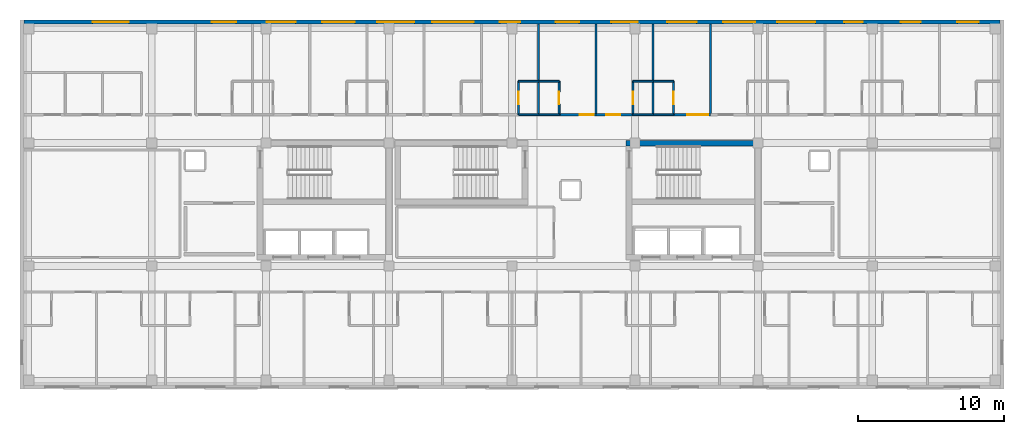
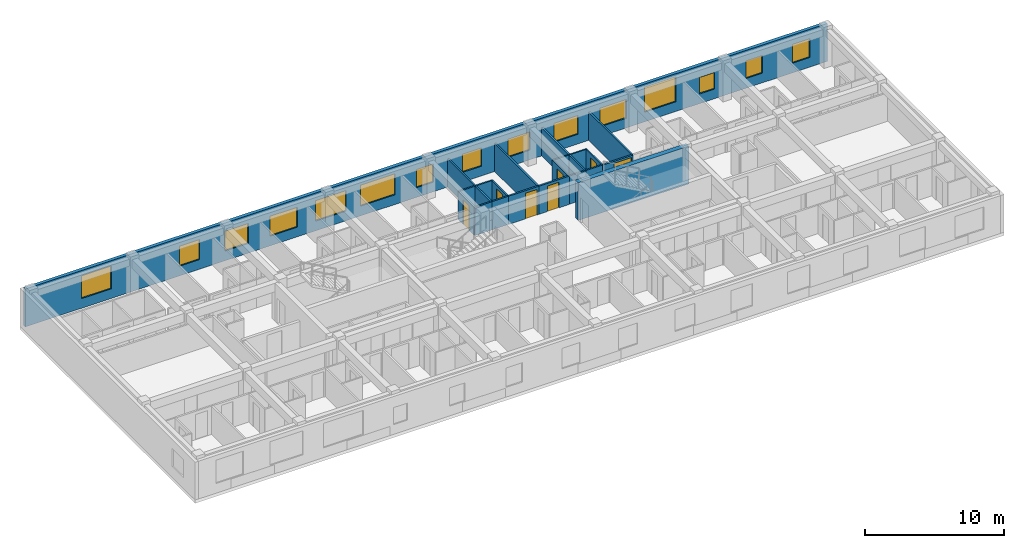
# One storey, part 7 of 11: 21 walls, 15 windows, 7 doors, 22 openings.
"""IFC4 building model written with IfcOpenShell, lengths in metres."""

from ifc_helpers import new_model, si_unit, direction, frame, frame_2d, origin, place, context, subcontext, project, spatial, rectangle, extrude, material, layer, layer_set, type_object, element, fill, save


model = new_model("IFC4")

# Units and contexts
model_context = context("Model", 3, precision=1e-05, world=origin(), true_north=direction((0.0, 1.0)))
body_context = subcontext(model_context, "Body", "Model", "MODEL_VIEW")
ifc_project = project(units=[si_unit("LENGTHUNIT", "METRE"), si_unit("AREAUNIT", "SQUARE_METRE"), si_unit("VOLUMEUNIT", "CUBIC_METRE"), si_unit("PLANEANGLEUNIT", "RADIAN"), si_unit("MASSUNIT", "GRAM", prefix="KILO")], contexts=[model_context])

# Site, building, storey
site_placement = place(None, origin())
site = spatial("IfcSite", under=ifc_project, at=site_placement, CompositionType="ELEMENT")
building_placement = place(site_placement, origin())
building = spatial("IfcBuilding", under=site, at=building_placement, Name="Zayran Congress Hotel", CompositionType="ELEMENT")
storey_placement = place(building_placement, frame((0.0, 0.0, 26.39990234375)))
storey = spatial("IfcBuildingStorey", under=building, at=storey_placement, Name="L06", CompositionType="ELEMENT", Elevation=26.39990234375)

# Wall, openings, windows
ifc_material_1 = material(Name="Hajar Ma'ani limestone cavity wall and concrete C32/40", Category="masonry")
ifc_layer_1 = layer(ifc_material_1, 0.280029296875)
ifc_layer_set_1 = layer_set([ifc_layer_1], Name="Hajar Ma'ani limestone cavity wall and concrete C32/40")
wall_type_1 = type_object("IfcWallType", Name="WL-EX-280", PredefinedType="SOLIDWALL", material=ifc_layer_set_1)
wall_1_placement = place(storey_placement, frame((8.679931640625, 33.860107421875, 0.0), z_axis=(0.0, 0.0, 1.0), x_axis=(1.0, 0.0, 0.0)))
wall_1 = element("IfcWall", 1, at=wall_1_placement, inside=storey, type_object=wall_type_1, Name="EW-V5-N-L06", PredefinedType="SOLIDWALL", context=body_context, shape_type="SweptSolid", body=[
    extrude(rectangle(XDim=66.64013671875, YDim=0.280029296875, at=frame_2d((33.320068359375, 0.0))), origin(), (0.0, 0.0, 1.0), 3.320068359375),
])
opening_1_placement = place(wall_1_placement, frame((4.679931640625, 0.0, 0.85009765625)))
opening_1 = element("IfcOpeningElement", 2, at=opening_1_placement, cuts=wall_1, Name="Opening WN-42", PredefinedType="OPENING", context=body_context, shape_type="SweptSolid", body=[
    extrude(rectangle(XDim=2.47998046875, YDim=2.0, at=frame_2d((1.239990234375, 1.0))), frame((0.0, 0.14990234375, 0.0), z_axis=(0.0, -1.0, 0.0), x_axis=(1.0, 0.0, 0.0)), (0.0, 0.0, 1.0), 0.300048828125),
])
opening_2_placement = place(wall_1_placement, frame((12.8291015625, 0.0, 0.85009765625)))
opening_2 = element("IfcOpeningElement", 3, at=opening_2_placement, cuts=wall_1, Name="Opening WN-07", PredefinedType="OPENING", context=body_context, shape_type="SweptSolid", body=[
    extrude(rectangle(XDim=1.64990234375, YDim=1.75, at=frame_2d((0.824951171875, 0.875))), frame((0.0, 0.14990234375, 0.0), z_axis=(0.0, -1.0, 0.0), x_axis=(1.0, 0.0, 0.0)), (0.0, 0.0, 1.0), 0.300048828125),
])
opening_3_placement = place(wall_1_placement, frame((16.587890625, 0.0, 0.85009765625)))
opening_3 = element("IfcOpeningElement", 4, at=opening_3_placement, cuts=wall_1, Name="Opening WN-08", PredefinedType="OPENING", context=body_context, shape_type="SweptSolid", body=[
    extrude(rectangle(XDim=1.949951171875, YDim=1.75, at=frame_2d((0.97509765625, 0.875))), frame((0.0, 0.14990234375, 0.0), z_axis=(0.0, -1.0, 0.0), x_axis=(1.0, 0.0, 0.0)), (0.0, 0.0, 1.0), 0.300048828125),
])
opening_4_placement = place(wall_1_placement, frame((20.346923828125, 0.0, 0.85009765625)))
opening_4 = element("IfcOpeningElement", 5, at=opening_4_placement, cuts=wall_1, Name="Opening WN-09", PredefinedType="OPENING", context=body_context, shape_type="SweptSolid", body=[
    extrude(rectangle(XDim=2.25, YDim=1.75, at=frame_2d((1.125, 0.875))), frame((0.0, 0.14990234375, 0.0), z_axis=(0.0, -1.0, 0.0), x_axis=(1.0, 0.0, 0.0)), (0.0, 0.0, 1.0), 0.300048828125),
])
opening_5_placement = place(wall_1_placement, frame((24.10498046875, 0.0, 0.85009765625)))
opening_5 = element("IfcOpeningElement", 6, at=opening_5_placement, cuts=wall_1, Name="Opening WN-10", PredefinedType="OPENING", context=body_context, shape_type="SweptSolid", body=[
    extrude(rectangle(XDim=2.550048828125, YDim=1.800048828125, at=frame_2d((1.27490234375, 0.89990234375))), frame((0.0, 0.14990234375, 0.0), z_axis=(0.0, -1.0, 0.0), x_axis=(1.0, 0.0, 0.0)), (0.0, 0.0, 1.0), 0.300048828125),
])
opening_6_placement = place(wall_1_placement, frame((27.864013671875, 0.0, 0.85009765625)))
opening_6 = element("IfcOpeningElement", 7, at=opening_6_placement, cuts=wall_1, Name="Opening WN-11", PredefinedType="OPENING", context=body_context, shape_type="SweptSolid", body=[
    extrude(rectangle(XDim=2.85009765625, YDim=1.85009765625, at=frame_2d((1.425048828125, 0.925048828125))), frame((0.0, 0.14990234375, 0.0), z_axis=(0.0, -1.0, 0.0), x_axis=(1.0, 0.0, 0.0)), (0.0, 0.0, 1.0), 0.300048828125),
])
opening_7_placement = place(wall_1_placement, frame((32.4970703125, 0.0, 0.85009765625)))
opening_7 = element("IfcOpeningElement", 8, at=opening_7_placement, cuts=wall_1, Name="Opening WN-14", PredefinedType="OPENING", context=body_context, shape_type="SweptSolid", body=[
    extrude(rectangle(XDim=1.39990234375, YDim=1.60009765625, at=frame_2d((0.699951171875, 0.800048828125))), frame((0.0, 0.14990234375, 0.0), z_axis=(0.0, -1.0, 0.0), x_axis=(1.0, 0.0, 0.0)), (0.0, 0.0, 1.0), 0.300048828125),
])
opening_8_placement = place(wall_1_placement, frame((36.305908203125, 0.0, 0.85009765625)))
opening_8 = element("IfcOpeningElement", 9, at=opening_8_placement, cuts=wall_1, Name="Opening WN-15", PredefinedType="OPENING", context=body_context, shape_type="SweptSolid", body=[
    extrude(rectangle(XDim=1.60009765625, YDim=1.60009765625, at=frame_2d((0.800048828125, 0.800048828125))), frame((0.0, 0.14990234375, 0.0), z_axis=(0.0, -1.0, 0.0), x_axis=(1.0, 0.0, 0.0)), (0.0, 0.0, 1.0), 0.300048828125),
])
opening_9_placement = place(wall_1_placement, frame((40.114990234375, 0.0, 0.85009765625)))
opening_9 = element("IfcOpeningElement", 10, at=opening_9_placement, cuts=wall_1, Name="Opening WN-16", PredefinedType="OPENING", context=body_context, shape_type="SweptSolid", body=[
    extrude(rectangle(XDim=1.800048828125, YDim=1.60009765625, at=frame_2d((0.89990234375, 0.800048828125))), frame((0.0, 0.14990234375, 0.0), z_axis=(0.0, -1.0, 0.0), x_axis=(1.0, 0.0, 0.0)), (0.0, 0.0, 1.0), 0.300048828125),
])
opening_10_placement = place(wall_1_placement, frame((43.923095703125, 0.0, 0.85009765625)))
opening_10 = element("IfcOpeningElement", 11, at=opening_10_placement, cuts=wall_1, Name="Opening WN-17", PredefinedType="OPENING", context=body_context, shape_type="SweptSolid", body=[
    extrude(rectangle(XDim=2.0, YDim=1.64990234375, at=frame_2d((1.0, 0.824951171875))), frame((0.0, 0.14990234375, 0.0), z_axis=(0.0, -1.0, 0.0), x_axis=(1.0, 0.0, 0.0)), (0.0, 0.0, 1.0), 0.300048828125),
])
opening_11_placement = place(wall_1_placement, frame((47.73095703125, 0.0, 0.85009765625)))
opening_11 = element("IfcOpeningElement", 12, at=opening_11_placement, cuts=wall_1, Name="Opening WN-18", PredefinedType="OPENING", context=body_context, shape_type="SweptSolid", body=[
    extrude(rectangle(XDim=2.199951171875, YDim=1.64990234375, at=frame_2d((1.10009765625, 0.824951171875))), frame((0.0, 0.14990234375, 0.0), z_axis=(0.0, -1.0, 0.0), x_axis=(1.0, 0.0, 0.0)), (0.0, 0.0, 1.0), 0.300048828125),
])
opening_12_placement = place(wall_1_placement, frame((51.43994140625, 0.0, 0.85009765625)))
opening_12 = element("IfcOpeningElement", 13, at=opening_12_placement, cuts=wall_1, Name="Opening WN-19", PredefinedType="OPENING", context=body_context, shape_type="SweptSolid", body=[
    extrude(rectangle(XDim=2.60009765625, YDim=2.199951171875, at=frame_2d((1.300048828125, 1.10009765625))), frame((0.0, 0.14990234375, 0.0), z_axis=(0.0, -1.0, 0.0), x_axis=(1.0, 0.0, 0.0)), (0.0, 0.0, 1.0), 0.300048828125),
])
opening_13_placement = place(wall_1_placement, frame((56.02392578125, 0.0, 0.85009765625)))
opening_13 = element("IfcOpeningElement", 14, at=opening_13_placement, cuts=wall_1, Name="Opening WN-23", PredefinedType="OPENING", context=body_context, shape_type="SweptSolid", body=[
    extrude(rectangle(XDim=1.25, YDim=1.449951171875, at=frame_2d((0.625, 0.72509765625))), frame((0.0, 0.14990234375, 0.0), z_axis=(0.0, -1.0, 0.0), x_axis=(1.0, 0.0, 0.0)), (0.0, 0.0, 1.0), 0.300048828125),
])
opening_14_placement = place(wall_1_placement, frame((59.882080078125, 0.0, 0.85009765625)))
opening_14 = element("IfcOpeningElement", 15, at=opening_14_placement, cuts=wall_1, Name="Opening WN-24", PredefinedType="OPENING", context=body_context, shape_type="SweptSolid", body=[
    extrude(rectangle(XDim=1.35009765625, YDim=1.550048828125, at=frame_2d((0.675048828125, 0.77490234375))), frame((0.0, 0.14990234375, 0.0), z_axis=(0.0, -1.0, 0.0), x_axis=(1.0, 0.0, 0.0)), (0.0, 0.0, 1.0), 0.300048828125),
])
opening_15_placement = place(wall_1_placement, frame((63.739990234375, 0.0, 0.85009765625)))
opening_15 = element("IfcOpeningElement", 16, at=opening_15_placement, cuts=wall_1, Name="Opening WN-25", PredefinedType="OPENING", context=body_context, shape_type="SweptSolid", body=[
    extrude(rectangle(XDim=1.449951171875, YDim=1.64990234375, at=frame_2d((0.72509765625, 0.824951171875))), frame((0.0, 0.14990234375, 0.0), z_axis=(0.0, -1.0, 0.0), x_axis=(1.0, 0.0, 0.0)), (0.0, 0.0, 1.0), 0.300048828125),
])
ifc_material_2 = material(Name="Anodised aluminium and low-E insulated glass", Category="aluminium")
window_type_1 = type_object("IfcWindowType", Name="TP-WN-07", PartitioningType="SINGLE_PANEL", PredefinedType="WINDOW", material=ifc_material_2)
window_1_placement = place(opening_2_placement, origin())
window_1 = element("IfcWindow", 17, at=window_1_placement, inside=storey, type_object=window_type_1, Name="WIN-V5N-L06-0348", OverallHeight=1.75, OverallWidth=1.64990234375, PartitioningType="SINGLE_PANEL", PredefinedType="WINDOW", context=body_context, shape_type="SweptSolid", body=[
    extrude(rectangle(XDim=1.64990234375, YDim=1.75, at=frame_2d((0.824951171875, 0.875))), frame((0.0, 0.030029296875, 0.0), z_axis=(0.0, -1.0, 0.0), x_axis=(1.0, 0.0, 0.0)), (0.0, 0.0, 1.0), 0.06005859375),
])
fill(opening_2, window_1)
window_type_2 = type_object("IfcWindowType", Name="TP-WN-08", PartitioningType="DOUBLE_PANEL_VERTICAL", PredefinedType="WINDOW", material=ifc_material_2)
window_2_placement = place(opening_3_placement, origin())
window_2 = element("IfcWindow", 18, at=window_2_placement, inside=storey, type_object=window_type_2, Name="WIN-V5N-L06-0349", OverallHeight=1.75, OverallWidth=1.949951171875, PartitioningType="SINGLE_PANEL", PredefinedType="WINDOW", context=body_context, shape_type="SweptSolid", body=[
    extrude(rectangle(XDim=1.949951171875, YDim=1.75, at=frame_2d((0.97509765625, 0.875))), frame((0.0, 0.030029296875, 0.0), z_axis=(0.0, -1.0, 0.0), x_axis=(1.0, 0.0, 0.0)), (0.0, 0.0, 1.0), 0.06005859375),
])
fill(opening_3, window_2)
window_type_3 = type_object("IfcWindowType", Name="TP-WN-09", PartitioningType="DOUBLE_PANEL_VERTICAL", PredefinedType="WINDOW", material=ifc_material_2)
window_3_placement = place(opening_4_placement, origin())
window_3 = element("IfcWindow", 19, at=window_3_placement, inside=storey, type_object=window_type_3, Name="WIN-V5N-L06-0350", OverallHeight=1.75, OverallWidth=2.25, PartitioningType="SINGLE_PANEL", PredefinedType="WINDOW", context=body_context, shape_type="SweptSolid", body=[
    extrude(rectangle(XDim=2.25, YDim=1.75, at=frame_2d((1.125, 0.875))), frame((0.0, 0.030029296875, 0.0), z_axis=(0.0, -1.0, 0.0), x_axis=(1.0, 0.0, 0.0)), (0.0, 0.0, 1.0), 0.06005859375),
])
fill(opening_4, window_3)
window_type_4 = type_object("IfcWindowType", Name="TP-WN-10", PartitioningType="DOUBLE_PANEL_VERTICAL", PredefinedType="WINDOW", material=ifc_material_2)
window_4_placement = place(opening_5_placement, origin())
window_4 = element("IfcWindow", 20, at=window_4_placement, inside=storey, type_object=window_type_4, Name="WIN-V5N-L06-0351", OverallHeight=1.800048828125, OverallWidth=2.550048828125, PartitioningType="SINGLE_PANEL", PredefinedType="WINDOW", context=body_context, shape_type="SweptSolid", body=[
    extrude(rectangle(XDim=2.550048828125, YDim=1.800048828125, at=frame_2d((1.27490234375, 0.89990234375))), frame((0.0, 0.030029296875, 0.0), z_axis=(0.0, -1.0, 0.0), x_axis=(1.0, 0.0, 0.0)), (0.0, 0.0, 1.0), 0.06005859375),
])
fill(opening_5, window_4)
window_type_5 = type_object("IfcWindowType", Name="TP-WN-11", PartitioningType="TRIPLE_PANEL_VERTICAL", PredefinedType="WINDOW", material=ifc_material_2)
window_5_placement = place(opening_6_placement, origin())
window_5 = element("IfcWindow", 21, at=window_5_placement, inside=storey, type_object=window_type_5, Name="WIN-V5N-L06-0352", OverallHeight=1.85009765625, OverallWidth=2.85009765625, PartitioningType="SINGLE_PANEL", PredefinedType="WINDOW", context=body_context, shape_type="SweptSolid", body=[
    extrude(rectangle(XDim=2.85009765625, YDim=1.85009765625, at=frame_2d((1.425048828125, 0.925048828125))), frame((0.0, 0.030029296875, 0.0), z_axis=(0.0, -1.0, 0.0), x_axis=(1.0, 0.0, 0.0)), (0.0, 0.0, 1.0), 0.06005859375),
])
fill(opening_6, window_5)
window_type_6 = type_object("IfcWindowType", Name="TP-WN-14", PartitioningType="SINGLE_PANEL", PredefinedType="WINDOW", material=ifc_material_2)
window_6_placement = place(opening_7_placement, origin())
window_6 = element("IfcWindow", 22, at=window_6_placement, inside=storey, type_object=window_type_6, Name="WIN-V5N-L06-0353", OverallHeight=1.60009765625, OverallWidth=1.39990234375, PartitioningType="SINGLE_PANEL", PredefinedType="WINDOW", context=body_context, shape_type="SweptSolid", body=[
    extrude(rectangle(XDim=1.39990234375, YDim=1.60009765625, at=frame_2d((0.699951171875, 0.800048828125))), frame((0.0, 0.030029296875, 0.0), z_axis=(0.0, -1.0, 0.0), x_axis=(1.0, 0.0, 0.0)), (0.0, 0.0, 1.0), 0.06005859375),
])
fill(opening_7, window_6)
window_type_7 = type_object("IfcWindowType", Name="TP-WN-15", PartitioningType="SINGLE_PANEL", PredefinedType="WINDOW", material=ifc_material_2)
window_7_placement = place(opening_8_placement, origin())
window_7 = element("IfcWindow", 23, at=window_7_placement, inside=storey, type_object=window_type_7, Name="WIN-V5N-L06-0354", OverallHeight=1.60009765625, OverallWidth=1.60009765625, PartitioningType="SINGLE_PANEL", PredefinedType="WINDOW", context=body_context, shape_type="SweptSolid", body=[
    extrude(rectangle(XDim=1.60009765625, YDim=1.60009765625, at=frame_2d((0.800048828125, 0.800048828125))), frame((0.0, 0.030029296875, 0.0), z_axis=(0.0, -1.0, 0.0), x_axis=(1.0, 0.0, 0.0)), (0.0, 0.0, 1.0), 0.06005859375),
])
fill(opening_8, window_7)
window_type_8 = type_object("IfcWindowType", Name="TP-WN-16", PartitioningType="DOUBLE_PANEL_VERTICAL", PredefinedType="WINDOW", material=ifc_material_2)
window_8_placement = place(opening_9_placement, origin())
window_8 = element("IfcWindow", 24, at=window_8_placement, inside=storey, type_object=window_type_8, Name="WIN-V5N-L06-0355", OverallHeight=1.60009765625, OverallWidth=1.800048828125, PartitioningType="SINGLE_PANEL", PredefinedType="WINDOW", context=body_context, shape_type="SweptSolid", body=[
    extrude(rectangle(XDim=1.800048828125, YDim=1.60009765625, at=frame_2d((0.89990234375, 0.800048828125))), frame((0.0, 0.030029296875, 0.0), z_axis=(0.0, -1.0, 0.0), x_axis=(1.0, 0.0, 0.0)), (0.0, 0.0, 1.0), 0.06005859375),
])
fill(opening_9, window_8)
window_type_9 = type_object("IfcWindowType", Name="TP-WN-17", PartitioningType="DOUBLE_PANEL_VERTICAL", PredefinedType="WINDOW", material=ifc_material_2)
window_9_placement = place(opening_10_placement, origin())
window_9 = element("IfcWindow", 25, at=window_9_placement, inside=storey, type_object=window_type_9, Name="WIN-V5N-L06-0356", OverallHeight=1.64990234375, OverallWidth=2.0, PartitioningType="SINGLE_PANEL", PredefinedType="WINDOW", context=body_context, shape_type="SweptSolid", body=[
    extrude(rectangle(XDim=2.0, YDim=1.64990234375, at=frame_2d((1.0, 0.824951171875))), frame((0.0, 0.030029296875, 0.0), z_axis=(0.0, -1.0, 0.0), x_axis=(1.0, 0.0, 0.0)), (0.0, 0.0, 1.0), 0.06005859375),
])
fill(opening_10, window_9)
window_type_10 = type_object("IfcWindowType", Name="TP-WN-18", PartitioningType="DOUBLE_PANEL_VERTICAL", PredefinedType="WINDOW", material=ifc_material_2)
window_10_placement = place(opening_11_placement, origin())
window_10 = element("IfcWindow", 26, at=window_10_placement, inside=storey, type_object=window_type_10, Name="WIN-V5N-L06-0357", OverallHeight=1.64990234375, OverallWidth=2.199951171875, PartitioningType="SINGLE_PANEL", PredefinedType="WINDOW", context=body_context, shape_type="SweptSolid", body=[
    extrude(rectangle(XDim=2.199951171875, YDim=1.64990234375, at=frame_2d((1.10009765625, 0.824951171875))), frame((0.0, 0.030029296875, 0.0), z_axis=(0.0, -1.0, 0.0), x_axis=(1.0, 0.0, 0.0)), (0.0, 0.0, 1.0), 0.06005859375),
])
fill(opening_11, window_10)
window_type_11 = type_object("IfcWindowType", Name="TP-WN-19", PartitioningType="DOUBLE_PANEL_VERTICAL", PredefinedType="WINDOW", material=ifc_material_2)
window_11_placement = place(opening_12_placement, origin())
window_11 = element("IfcWindow", 27, at=window_11_placement, inside=storey, type_object=window_type_11, Name="WIN-V5N-L06-0358", OverallHeight=2.199951171875, OverallWidth=2.60009765625, PartitioningType="SINGLE_PANEL", PredefinedType="WINDOW", context=body_context, shape_type="SweptSolid", body=[
    extrude(rectangle(XDim=2.60009765625, YDim=2.199951171875, at=frame_2d((1.300048828125, 1.10009765625))), frame((0.0, 0.030029296875, 0.0), z_axis=(0.0, -1.0, 0.0), x_axis=(1.0, 0.0, 0.0)), (0.0, 0.0, 1.0), 0.06005859375),
])
fill(opening_12, window_11)
window_type_12 = type_object("IfcWindowType", Name="TP-WN-23", PartitioningType="SINGLE_PANEL", PredefinedType="WINDOW", material=ifc_material_2)
window_12_placement = place(opening_13_placement, origin())
window_12 = element("IfcWindow", 28, at=window_12_placement, inside=storey, type_object=window_type_12, Name="WIN-V5N-L06-0359", OverallHeight=1.449951171875, OverallWidth=1.25, PartitioningType="SINGLE_PANEL", PredefinedType="WINDOW", context=body_context, shape_type="SweptSolid", body=[
    extrude(rectangle(XDim=1.25, YDim=1.449951171875, at=frame_2d((0.625, 0.72509765625))), frame((0.0, 0.030029296875, 0.0), z_axis=(0.0, -1.0, 0.0), x_axis=(1.0, 0.0, 0.0)), (0.0, 0.0, 1.0), 0.06005859375),
])
fill(opening_13, window_12)
window_type_13 = type_object("IfcWindowType", Name="TP-WN-24", PartitioningType="SINGLE_PANEL", PredefinedType="WINDOW", material=ifc_material_2)
window_13_placement = place(opening_14_placement, origin())
window_13 = element("IfcWindow", 29, at=window_13_placement, inside=storey, type_object=window_type_13, Name="WIN-V5N-L06-0360", OverallHeight=1.550048828125, OverallWidth=1.35009765625, PartitioningType="SINGLE_PANEL", PredefinedType="WINDOW", context=body_context, shape_type="SweptSolid", body=[
    extrude(rectangle(XDim=1.35009765625, YDim=1.550048828125, at=frame_2d((0.675048828125, 0.77490234375))), frame((0.0, 0.030029296875, 0.0), z_axis=(0.0, -1.0, 0.0), x_axis=(1.0, 0.0, 0.0)), (0.0, 0.0, 1.0), 0.06005859375),
])
fill(opening_14, window_13)
window_type_14 = type_object("IfcWindowType", Name="TP-WN-25", PartitioningType="SINGLE_PANEL", PredefinedType="WINDOW", material=ifc_material_2)
window_14_placement = place(opening_15_placement, origin())
window_14 = element("IfcWindow", 30, at=window_14_placement, inside=storey, type_object=window_type_14, Name="WIN-V5N-L06-0361", OverallHeight=1.64990234375, OverallWidth=1.449951171875, PartitioningType="SINGLE_PANEL", PredefinedType="WINDOW", context=body_context, shape_type="SweptSolid", body=[
    extrude(rectangle(XDim=1.449951171875, YDim=1.64990234375, at=frame_2d((0.72509765625, 0.824951171875))), frame((0.0, 0.030029296875, 0.0), z_axis=(0.0, -1.0, 0.0), x_axis=(1.0, 0.0, 0.0)), (0.0, 0.0, 1.0), 0.06005859375),
])
fill(opening_15, window_14)
window_type_15 = type_object("IfcWindowType", Name="TP-WN-42", PartitioningType="DOUBLE_PANEL_VERTICAL", PredefinedType="WINDOW", material=ifc_material_2)
window_15_placement = place(opening_1_placement, origin())
window_15 = element("IfcWindow", 31, at=window_15_placement, inside=storey, type_object=window_type_15, Name="WIN-V5N-L06-0347", OverallHeight=2.0, OverallWidth=2.47998046875, PartitioningType="SINGLE_PANEL", PredefinedType="WINDOW", context=body_context, shape_type="SweptSolid", body=[
    extrude(rectangle(XDim=2.47998046875, YDim=2.0, at=frame_2d((1.239990234375, 1.0))), frame((0.0, 0.030029296875, 0.0), z_axis=(0.0, -1.0, 0.0), x_axis=(1.0, 0.0, 0.0)), (0.0, 0.0, 1.0), 0.06005859375),
])
fill(opening_1, window_15)

# Wall
ifc_material_3 = material(Name="Concrete C40/50", Category="concrete")
ifc_layer_2 = layer(ifc_material_3, 0.39990234375)
ifc_layer_set_2 = layer_set([ifc_layer_2], Name="Concrete C40/50")
wall_type_2 = type_object("IfcWallType", Name="WL-SH-400", PredefinedType="SHEAR", material=ifc_layer_set_2)
wall_2_placement = place(storey_placement, frame((59.0, 25.5849609375, 0.0), z_axis=(0.0, 0.0, 1.0), x_axis=(-1.0, 0.0, 0.0)))
element("IfcWall", 32, at=wall_2_placement, inside=storey, type_object=wall_type_2, Name="CWALL-C-V5E-L06-N", PredefinedType="SHEAR", context=body_context, shape_type="SweptSolid", body=[
    extrude(rectangle(XDim=9.199951171875, YDim=0.39990234375, at=frame_2d((4.60009765625, 0.0))), origin(), (0.0, 0.0, 1.0), 3.320068359375),
])

# Wall, opening, door
ifc_material_4 = material(Name="Hospitality guestroom acoustic partition", Category="gypsum")
ifc_layer_3 = layer(ifc_material_4, 0.139892578125)
ifc_layer_set_3 = layer_set([ifc_layer_3], Name="Hospitality guestroom acoustic partition")
wall_type_3 = type_object("IfcWallType", Name="WL-PT-140", PredefinedType="PARTITIONING", material=ifc_layer_set_3)
wall_3_placement = place(storey_placement, frame((45.218017578125, 27.530029296875, 0.0), z_axis=(0.0, 0.0, 1.0), x_axis=(1.0, 0.0, 0.0)))
wall_3 = element("IfcWall", 33, at=wall_3_placement, inside=storey, type_object=wall_type_3, Name="IW-L06-0714", PredefinedType="PARTITIONING", context=body_context, shape_type="SweptSolid", body=[
    extrude(rectangle(XDim=2.511962890625, YDim=0.139892578125, at=frame_2d((1.255859375, 0.0))), origin(), (0.0, 0.0, 1.0), 2.47998046875),
])
opening_16_placement = place(wall_3_placement, frame((1.412109375, 0.0, 0.0)))
opening_16 = element("IfcOpeningElement", 34, at=opening_16_placement, cuts=wall_3, Name="Opening DR-GR-03", PredefinedType="OPENING", context=body_context, shape_type="SweptSolid", body=[
    extrude(rectangle(XDim=0.9599609375, YDim=2.25, at=frame_2d((0.47998046875, 1.125))), frame((0.0, 0.079833984375, 0.0), z_axis=(0.0, -1.0, 0.0), x_axis=(1.0, 0.0, 0.0)), (0.0, 0.0, 1.0), 0.159912109375),
])
ifc_material_5 = material(Name="Executive walnut veneer entry door", Category="wood")
door_type_1 = type_object("IfcDoorType", Name="TP-DR-GR-03", OperationType="NOTDEFINED", PredefinedType="DOOR", material=ifc_material_5)
door_1_placement = place(opening_16_placement, origin())
door_1 = element("IfcDoor", 35, at=door_1_placement, inside=storey, type_object=door_type_1, Name="Guest Room L06-21 Door", OperationType="SINGLE_SWING_RIGHT", OverallHeight=2.25, OverallWidth=0.9599609375, PredefinedType="DOOR", context=body_context, shape_type="SweptSolid", body=[
    extrude(rectangle(XDim=0.9599609375, YDim=2.25, at=frame_2d((0.47998046875, 1.125))), frame((0.0, 0.02490234375, 0.0), z_axis=(0.0, -1.0, 0.0), x_axis=(1.0, 0.0, 0.0)), (0.0, 0.0, 1.0), 0.050048828125),
])
fill(opening_16, door_1)

wall_4_placement = place(storey_placement, frame((47.75, 27.530029296875, 0.0), z_axis=(0.0, 0.0, 1.0), x_axis=(1.0, 0.0, 0.0)))
wall_4 = element("IfcWall", 36, at=wall_4_placement, inside=storey, type_object=wall_type_3, Name="IW-L06-0715", PredefinedType="PARTITIONING", context=body_context, shape_type="SweptSolid", body=[
    extrude(rectangle(XDim=2.511962890625, YDim=0.139892578125, at=frame_2d((1.255859375, 0.0))), origin(), (0.0, 0.0, 1.0), 2.47998046875),
])
opening_17_placement = place(wall_4_placement, frame((0.68505859375, 0.0, 0.0)))
opening_17 = element("IfcOpeningElement", 37, at=opening_17_placement, cuts=wall_4, Name="Opening DR-GR-03", PredefinedType="OPENING", context=body_context, shape_type="SweptSolid", body=[
    extrude(rectangle(XDim=0.9599609375, YDim=2.25, at=frame_2d((0.47998046875, 1.125))), frame((0.0, 0.079833984375, 0.0), z_axis=(0.0, -1.0, 0.0), x_axis=(1.0, 0.0, 0.0)), (0.0, 0.0, 1.0), 0.159912109375),
])
door_2_placement = place(opening_17_placement, origin())
door_2 = element("IfcDoor", 38, at=door_2_placement, inside=storey, type_object=door_type_1, Name="Guest Room L06-22 Door", OperationType="SINGLE_SWING_LEFT", OverallHeight=2.25, OverallWidth=0.9599609375, PredefinedType="DOOR", context=body_context, shape_type="SweptSolid", body=[
    extrude(rectangle(XDim=0.9599609375, YDim=2.25, at=frame_2d((0.47998046875, 1.125))), frame((0.0, 0.02490234375, 0.0), z_axis=(0.0, -1.0, 0.0), x_axis=(1.0, 0.0, 0.0)), (0.0, 0.0, 1.0), 0.050048828125),
])
fill(opening_17, door_2)

wall_5_placement = place(storey_placement, frame((53.035888671875, 27.530029296875, 0.0), z_axis=(0.0, 0.0, 1.0), x_axis=(1.0, 0.0, 0.0)))
wall_5 = element("IfcWall", 39, at=wall_5_placement, inside=storey, type_object=wall_type_3, Name="IW-L06-0716", PredefinedType="PARTITIONING", context=body_context, shape_type="SweptSolid", body=[
    extrude(rectangle(XDim=2.51123046875, YDim=0.139892578125, at=frame_2d((1.255615234375, 0.0))), origin(), (0.0, 0.0, 1.0), 2.47998046875),
])
opening_18_placement = place(wall_5_placement, frame((0.9208984375, 0.0, 0.0)))
opening_18 = element("IfcOpeningElement", 40, at=opening_18_placement, cuts=wall_5, Name="Opening DR-ST-01", PredefinedType="OPENING", context=body_context, shape_type="SweptSolid", body=[
    extrude(rectangle(XDim=1.449951171875, YDim=2.300048828125, at=frame_2d((0.72509765625, 1.14990234375))), frame((0.0, 0.079833984375, 0.0), z_axis=(0.0, -1.0, 0.0), x_axis=(1.0, 0.0, 0.0)), (0.0, 0.0, 1.0), 0.159912109375),
])
ifc_material_6 = material(Name="Double walnut veneer suite entry door", Category="wood")
door_type_2 = type_object("IfcDoorType", Name="TP-DR-ST-01", OperationType="DOUBLE_DOOR_SINGLE_SWING", PredefinedType="DOOR", material=ifc_material_6)
door_3_placement = place(opening_18_placement, origin())
door_3 = element("IfcDoor", 41, at=door_3_placement, inside=storey, type_object=door_type_2, Name="Executive Suite L06-23 Door", OperationType="DOUBLE_DOOR_SINGLE_SWING", OverallHeight=2.300048828125, OverallWidth=1.449951171875, PredefinedType="DOOR", context=body_context, shape_type="SweptSolid", body=[
    extrude(rectangle(XDim=1.449951171875, YDim=2.300048828125, at=frame_2d((0.72509765625, 1.14990234375))), frame((0.0, 0.02490234375, 0.0), z_axis=(0.0, -1.0, 0.0), x_axis=(1.0, 0.0, 0.0)), (0.0, 0.0, 1.0), 0.050048828125),
])
fill(opening_18, door_3)

# Walls
for number, where, z_axis, x_axis, name in (
    (42, (43.821044921875, 27.52001953125, 0.0), (0.0, 0.0, 1.0), (0.0, 1.0, 0.0), "IW-L06-2043"),
    (43, (47.72998046875, 27.52001953125, 0.0), (0.0, 0.0, 1.0), (0.0, 1.0, 0.0), "IW-L06-2044"),
    (44, (51.638916015625, 27.52001953125, 0.0), (0.0, 0.0, 1.0), (0.0, 1.0, 0.0), "IW-L06-2045"),
    (45, (55.547119140625, 27.52001953125, 0.0), (0.0, 0.0, 1.0), (0.0, 1.0, 0.0), "IW-L06-2046"),
):
    element("IfcWall", number, at=place(storey_placement, frame(where, z_axis=z_axis, x_axis=x_axis)), inside=storey, type_object=wall_type_3, Name=name, PredefinedType="PARTITIONING", context=body_context, shape_type="SweptSolid", body=[
        extrude(rectangle(XDim=6.199951171875, YDim=0.139892578125, at=frame_2d((3.10009765625, 0.0))), origin(), (0.0, 0.0, 1.0), 2.47998046875),
    ])

# Wall, opening, door
ifc_material_7 = material(Name="Moisture-resistant bathroom partition", Category="gypsum")
ifc_layer_4 = layer(ifc_material_7, 0.1201171875)
ifc_layer_set_4 = layer_set([ifc_layer_4], Name="Moisture-resistant bathroom partition")
wall_type_4 = type_object("IfcWallType", Name="WL-PT-120", PredefinedType="PARTITIONING", material=ifc_layer_set_4)
wall_6_placement = place(storey_placement, frame((42.444091796875, 27.52001953125, 0.0), z_axis=(0.0, 0.0, 1.0), x_axis=(0.0, 1.0, 0.0)))
wall_6 = element("IfcWall", 46, at=wall_6_placement, inside=storey, type_object=wall_type_4, Name="IW-L06-0210", PredefinedType="PARTITIONING", context=body_context, shape_type="SweptSolid", body=[
    extrude(rectangle(XDim=2.31005859375, YDim=0.1201171875, at=frame_2d((1.155029296875, 0.0))), origin(), (0.0, 0.0, 1.0), 2.47998046875),
])
opening_19_placement = place(wall_6_placement, frame((0.715087890625, 0.0, 0.0)))
opening_19 = element("IfcOpeningElement", 47, at=opening_19_placement, cuts=wall_6, Name="Opening DR-BT-01", PredefinedType="OPENING", context=body_context, shape_type="SweptSolid", body=[
    extrude(rectangle(XDim=0.8798828125, YDim=2.14990234375, at=frame_2d((0.43994140625, 1.074951171875))), frame((0.0, 0.070068359375, 0.0), z_axis=(0.0, -1.0, 0.0), x_axis=(1.0, 0.0, 0.0)), (0.0, 0.0, 1.0), 0.14013671875),
])
ifc_material_8 = material(Name="Moisture-resistant oak en-suite door", Category="wood")
door_type_3 = type_object("IfcDoorType", Name="TP-DR-BT-01", OperationType="NOTDEFINED", PredefinedType="DOOR", material=ifc_material_8)
door_4_placement = place(opening_19_placement, origin())
door_4 = element("IfcDoor", 48, at=door_4_placement, inside=storey, type_object=door_type_3, Name="En-Suite Bathroom L06-20 Door", OperationType="SINGLE_SWING_LEFT", OverallHeight=2.14990234375, OverallWidth=0.8798828125, PredefinedType="DOOR", context=body_context, shape_type="SweptSolid", body=[
    extrude(rectangle(XDim=0.8798828125, YDim=2.14990234375, at=frame_2d((0.43994140625, 1.074951171875))), frame((0.0, 0.02490234375, 0.0), z_axis=(0.0, -1.0, 0.0), x_axis=(1.0, 0.0, 0.0)), (0.0, 0.0, 1.0), 0.050048828125),
])
fill(opening_19, door_4)

wall_7_placement = place(storey_placement, frame((45.218017578125, 27.52001953125, 0.0), z_axis=(0.0, 0.0, 1.0), x_axis=(0.0, 1.0, 0.0)))
wall_7 = element("IfcWall", 49, at=wall_7_placement, inside=storey, type_object=wall_type_4, Name="IW-L06-0211", PredefinedType="PARTITIONING", context=body_context, shape_type="SweptSolid", body=[
    extrude(rectangle(XDim=2.31005859375, YDim=0.1201171875, at=frame_2d((1.155029296875, 0.0))), origin(), (0.0, 0.0, 1.0), 2.47998046875),
])
opening_20_placement = place(wall_7_placement, frame((0.715087890625, 0.0, 0.0)))
opening_20 = element("IfcOpeningElement", 50, at=opening_20_placement, cuts=wall_7, Name="Opening DR-BT-01", PredefinedType="OPENING", context=body_context, shape_type="SweptSolid", body=[
    extrude(rectangle(XDim=0.8798828125, YDim=2.14990234375, at=frame_2d((0.43994140625, 1.074951171875))), frame((0.0, 0.070068359375, 0.0), z_axis=(0.0, -1.0, 0.0), x_axis=(1.0, 0.0, 0.0)), (0.0, 0.0, 1.0), 0.14013671875),
])
door_5_placement = place(opening_20_placement, origin())
door_5 = element("IfcDoor", 51, at=door_5_placement, inside=storey, type_object=door_type_3, Name="En-Suite Bathroom L06-21 Door", OperationType="SINGLE_SWING_RIGHT", OverallHeight=2.14990234375, OverallWidth=0.8798828125, PredefinedType="DOOR", context=body_context, shape_type="SweptSolid", body=[
    extrude(rectangle(XDim=0.8798828125, YDim=2.14990234375, at=frame_2d((0.43994140625, 1.074951171875))), frame((0.0, 0.02490234375, 0.0), z_axis=(0.0, -1.0, 0.0), x_axis=(1.0, 0.0, 0.0)), (0.0, 0.0, 1.0), 0.050048828125),
])
fill(opening_20, door_5)

wall_8_placement = place(storey_placement, frame((50.261962890625, 27.52001953125, 0.0), z_axis=(0.0, 0.0, 1.0), x_axis=(0.0, 1.0, 0.0)))
wall_8 = element("IfcWall", 52, at=wall_8_placement, inside=storey, type_object=wall_type_4, Name="IW-L06-0212", PredefinedType="PARTITIONING", context=body_context, shape_type="SweptSolid", body=[
    extrude(rectangle(XDim=2.31005859375, YDim=0.1201171875, at=frame_2d((1.155029296875, 0.0))), origin(), (0.0, 0.0, 1.0), 2.47998046875),
])
opening_21_placement = place(wall_8_placement, frame((0.715087890625, 0.0, 0.0)))
opening_21 = element("IfcOpeningElement", 53, at=opening_21_placement, cuts=wall_8, Name="Opening DR-BT-01", PredefinedType="OPENING", context=body_context, shape_type="SweptSolid", body=[
    extrude(rectangle(XDim=0.8798828125, YDim=2.14990234375, at=frame_2d((0.43994140625, 1.074951171875))), frame((0.0, 0.070068359375, 0.0), z_axis=(0.0, -1.0, 0.0), x_axis=(1.0, 0.0, 0.0)), (0.0, 0.0, 1.0), 0.14013671875),
])
door_6_placement = place(opening_21_placement, origin())
door_6 = element("IfcDoor", 54, at=door_6_placement, inside=storey, type_object=door_type_3, Name="En-Suite Bathroom L06-22 Door", OperationType="SINGLE_SWING_LEFT", OverallHeight=2.14990234375, OverallWidth=0.8798828125, PredefinedType="DOOR", context=body_context, shape_type="SweptSolid", body=[
    extrude(rectangle(XDim=0.8798828125, YDim=2.14990234375, at=frame_2d((0.43994140625, 1.074951171875))), frame((0.0, 0.02490234375, 0.0), z_axis=(0.0, -1.0, 0.0), x_axis=(1.0, 0.0, 0.0)), (0.0, 0.0, 1.0), 0.050048828125),
])
fill(opening_21, door_6)

wall_9_placement = place(storey_placement, frame((53.035888671875, 27.52001953125, 0.0), z_axis=(0.0, 0.0, 1.0), x_axis=(0.0, 1.0, 0.0)))
wall_9 = element("IfcWall", 55, at=wall_9_placement, inside=storey, type_object=wall_type_4, Name="IW-L06-0213", PredefinedType="PARTITIONING", context=body_context, shape_type="SweptSolid", body=[
    extrude(rectangle(XDim=2.31005859375, YDim=0.1201171875, at=frame_2d((1.155029296875, 0.0))), origin(), (0.0, 0.0, 1.0), 2.47998046875),
])
opening_22_placement = place(wall_9_placement, frame((0.715087890625, 0.0, 0.0)))
opening_22 = element("IfcOpeningElement", 56, at=opening_22_placement, cuts=wall_9, Name="Opening DR-BT-01", PredefinedType="OPENING", context=body_context, shape_type="SweptSolid", body=[
    extrude(rectangle(XDim=0.8798828125, YDim=2.14990234375, at=frame_2d((0.43994140625, 1.074951171875))), frame((0.0, 0.070068359375, 0.0), z_axis=(0.0, -1.0, 0.0), x_axis=(1.0, 0.0, 0.0)), (0.0, 0.0, 1.0), 0.14013671875),
])
door_7_placement = place(opening_22_placement, origin())
door_7 = element("IfcDoor", 57, at=door_7_placement, inside=storey, type_object=door_type_3, Name="En-Suite Bathroom L06-23 Door", OperationType="SINGLE_SWING_RIGHT", OverallHeight=2.14990234375, OverallWidth=0.8798828125, PredefinedType="DOOR", context=body_context, shape_type="SweptSolid", body=[
    extrude(rectangle(XDim=0.8798828125, YDim=2.14990234375, at=frame_2d((0.43994140625, 1.074951171875))), frame((0.0, 0.02490234375, 0.0), z_axis=(0.0, -1.0, 0.0), x_axis=(1.0, 0.0, 0.0)), (0.0, 0.0, 1.0), 0.050048828125),
])
fill(opening_22, door_7)

# Walls
wall_10_placement = place(storey_placement, frame((42.444091796875, 27.530029296875, 0.0), z_axis=(0.0, 0.0, 1.0), x_axis=(1.0, 0.0, 0.0)))
element("IfcWall", 58, at=wall_10_placement, inside=storey, type_object=wall_type_4, Name="IW-L06-1287", PredefinedType="PARTITIONING", context=body_context, shape_type="SweptSolid", body=[
    extrude(rectangle(XDim=1.386962890625, YDim=0.1201171875, at=frame_2d((0.693359375, 0.0))), origin(), (0.0, 0.0, 1.0), 2.47998046875),
])
for number, where, z_axis, x_axis, name in (
    (59, (42.43408203125, 29.820068359375, 0.0), (0.0, 0.0, 1.0), (1.0, 0.0, 0.0), "IW-L06-1288"),
    (60, (43.8310546875, 27.530029296875, 0.0), (0.0, 0.0, 1.0), (1.0, 0.0, 0.0), "IW-L06-1289"),
    (61, (43.8310546875, 29.820068359375, 0.0), (0.0, 0.0, 1.0), (1.0, 0.0, 0.0), "IW-L06-1290"),
    (62, (50.251953125, 27.530029296875, 0.0), (0.0, 0.0, 1.0), (1.0, 0.0, 0.0), "IW-L06-1291"),
    (63, (50.251953125, 29.820068359375, 0.0), (0.0, 0.0, 1.0), (1.0, 0.0, 0.0), "IW-L06-1292"),
    (64, (51.64892578125, 27.530029296875, 0.0), (0.0, 0.0, 1.0), (1.0, 0.0, 0.0), "IW-L06-1293"),
    (65, (51.64892578125, 29.820068359375, 0.0), (0.0, 0.0, 1.0), (1.0, 0.0, 0.0), "IW-L06-1294"),
):
    element("IfcWall", number, at=place(storey_placement, frame(where, z_axis=z_axis, x_axis=x_axis)), inside=storey, type_object=wall_type_4, Name=name, PredefinedType="PARTITIONING", context=body_context, shape_type="SweptSolid", body=[
        extrude(rectangle(XDim=1.39697265625, YDim=0.1201171875, at=frame_2d((0.698486328125, 0.0))), origin(), (0.0, 0.0, 1.0), 2.47998046875),
    ])

save(model, "model.ifc")
